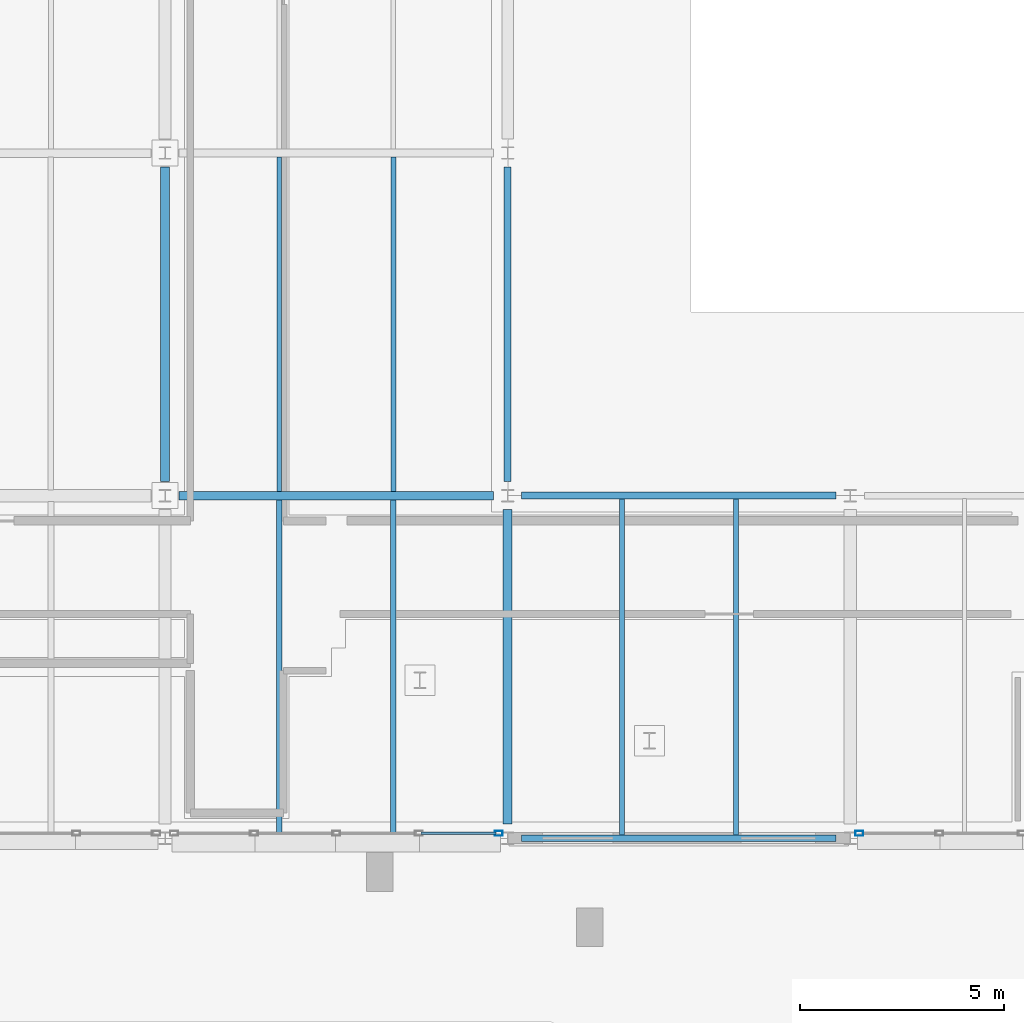
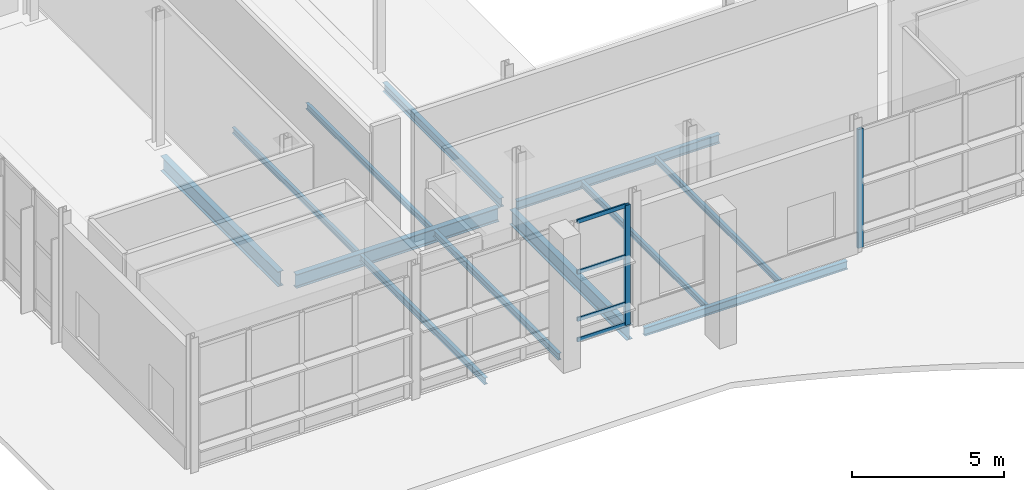
# One storey, part 19 of 124: 12 beams, 6 members, 2 elements without a shape of their own.
"""IFC4 building model written with IfcOpenShell, lengths in metres."""

from ifc_helpers import new_model, si_unit, direction, frame, origin, origin_2d, place, context, subcontext, project, spatial, hollow_rectangle, i_section, extrude, material, material_profile, profile_set, type_object, element, aggregate, save


model = new_model("IFC4")

# Units and contexts
model_context = context("Model", 3, precision=1e-05, world=origin(), true_north=direction((0.0, 1.0)))
body_context = subcontext(model_context, "Body", "Model", "MODEL_VIEW")
ifc_project = project(units=[si_unit("LENGTHUNIT", "METRE"), si_unit("AREAUNIT", "SQUARE_METRE"), si_unit("VOLUMEUNIT", "CUBIC_METRE"), si_unit("PLANEANGLEUNIT", "RADIAN"), si_unit("MASSUNIT", "GRAM", prefix="KILO")], contexts=[model_context])

# Site, building, storey
site_placement = place(None, origin())
site = spatial("IfcSite", under=ifc_project, at=site_placement, CompositionType="ELEMENT")
building_placement = place(site_placement, origin())
building = spatial("IfcBuilding", under=site, at=building_placement, Name="Mersafa Astral City Hall", CompositionType="ELEMENT")
storey_placement = place(building_placement, origin())
storey = spatial("IfcBuildingStorey", under=building, at=storey_placement, Name="L00", CompositionType="ELEMENT", Elevation=0.0)

# Curtain wall, member
ifc_material_1 = material(Name="Anodised bronze aluminium framing", Category="aluminium")
curtain_wall_type_1 = type_object("IfcCurtainWallType", Name="ENV-CW-5", PredefinedType="USERDEFINED", material=ifc_material_1)
curtain_wall_1_placement = place(storey_placement, origin())
curtain_wall_1 = element("IfcCurtainWall", 1, at=curtain_wall_1_placement, inside=storey, type_object=curtain_wall_type_1, Name="L00 Unitised solar curtain wall 40", ObjectType="UNITISED CURTAIN WALL", PredefinedType="USERDEFINED")
ifc_material_profile_1 = material_profile(ifc_material_1, hollow_rectangle(XDim=0.1201171875, YDim=0.199951171875, WallThickness=0.008056640625, at=origin_2d()), Name="RHS 120x200x8")
ifc_profile_set_1 = profile_set([ifc_material_profile_1], Name="Anodised bronze aluminium framing")
member_type_1 = type_object("IfcMemberType", Name="ENV-CW-MUL-2", PredefinedType="MULLION", material=ifc_profile_set_1)
member_1_placement = place(storey_placement, frame((24.97802734375, 50.52001953125, -0.001953125), z_axis=(0.0, 0.0, 1.0), x_axis=(0.0, 1.0, 0.0)))
member_1 = element("IfcMember", 2, at=member_1_placement, type_object=member_type_1, Name="CW-5 mullion 5", PredefinedType="MULLION", context=body_context, shape_type="SweptSolid", body=[
    extrude(hollow_rectangle(XDim=0.1201171875, YDim=0.199951171875, WallThickness=0.008056640625, at=origin_2d()), origin(), (0.0, 0.0, 1.0), 4.81396484375),
])

curtain_wall_type_2 = type_object("IfcCurtainWallType", Name="ENV-CW-6", PredefinedType="USERDEFINED", material=ifc_material_1)
curtain_wall_2_placement = place(storey_placement, origin())
curtain_wall_2 = element("IfcCurtainWall", 3, at=curtain_wall_2_placement, inside=storey, type_object=curtain_wall_type_2, Name="L00 Unitised solar curtain wall 41", ObjectType="UNITISED CURTAIN WALL", PredefinedType="USERDEFINED")
member_2_placement = place(storey_placement, frame((33.822021484375, 50.52001953125, -0.001953125), z_axis=(0.0, 0.0, 1.0), x_axis=(0.0, 1.0, 0.0)))
member_2 = element("IfcMember", 4, at=member_2_placement, type_object=member_type_1, Name="CW-6 mullion 1", PredefinedType="MULLION", context=body_context, shape_type="SweptSolid", body=[
    extrude(hollow_rectangle(XDim=0.1201171875, YDim=0.199951171875, WallThickness=0.008056640625, at=origin_2d()), origin(), (0.0, 0.0, 1.0), 4.76904296875),
])
aggregate(curtain_wall_2, [member_2])

# Member
ifc_material_profile_2 = material_profile(ifc_material_1, hollow_rectangle(XDim=0.06005859375, YDim=0.159912109375, WallThickness=0.00390625, at=origin_2d()), Name="RHS 60x160x4")
ifc_profile_set_2 = profile_set([ifc_material_profile_2], Name="Anodised bronze aluminium framing")
member_type_2 = type_object("IfcMemberType", Name="ENV-CW-TRN-2", PredefinedType="USERDEFINED", material=ifc_profile_set_2)
member_3_placement = place(storey_placement, frame((23.0791015625, 50.52001953125, 0.028076171875), z_axis=(1.0, 0.0, 0.0), x_axis=(0.0, 1.0, 0.0)))
member_3 = element("IfcMember", 5, at=member_3_placement, type_object=member_type_2, Name="CW-5 transom 4.1", ObjectType="TRANSOM", PredefinedType="USERDEFINED", context=body_context, shape_type="SweptSolid", body=[
    extrude(hollow_rectangle(XDim=0.06005859375, YDim=0.159912109375, WallThickness=0.00390625, at=origin_2d()), origin(), (0.0, 0.0, 1.0), 1.8388671875),
])

member_4_placement = place(storey_placement, frame((23.0791015625, 50.52001953125, 0.85009765625), z_axis=(1.0, 0.0, 0.0), x_axis=(0.0, 1.0, 0.0)))
member_4 = element("IfcMember", 6, at=member_4_placement, type_object=member_type_2, Name="CW-5 transom 4.2", ObjectType="TRANSOM", PredefinedType="USERDEFINED", context=body_context, shape_type="SweptSolid", body=[
    extrude(hollow_rectangle(XDim=0.06005859375, YDim=0.159912109375, WallThickness=0.00390625, at=origin_2d()), origin(), (0.0, 0.0, 1.0), 1.8388671875),
])

member_5_placement = place(storey_placement, frame((23.0791015625, 50.52001953125, 2.75), z_axis=(1.0, 0.0, 0.0), x_axis=(0.0, 1.0, 0.0)))
member_5 = element("IfcMember", 7, at=member_5_placement, type_object=member_type_2, Name="CW-5 transom 4.3", ObjectType="TRANSOM", PredefinedType="USERDEFINED", context=body_context, shape_type="SweptSolid", body=[
    extrude(hollow_rectangle(XDim=0.06005859375, YDim=0.159912109375, WallThickness=0.00390625, at=origin_2d()), origin(), (0.0, 0.0, 1.0), 1.8388671875),
])

member_6_placement = place(storey_placement, frame((23.0791015625, 50.52001953125, 4.781982421875), z_axis=(1.0, 0.0, 0.0), x_axis=(0.0, 1.0, 0.0)))
member_6 = element("IfcMember", 8, at=member_6_placement, type_object=member_type_2, Name="CW-5 transom 4.4", ObjectType="TRANSOM", PredefinedType="USERDEFINED", context=body_context, shape_type="SweptSolid", body=[
    extrude(hollow_rectangle(XDim=0.06005859375, YDim=0.159912109375, WallThickness=0.00390625, at=origin_2d()), origin(), (0.0, 0.0, 1.0), 1.8388671875),
])

aggregate(curtain_wall_1, [member_1, member_3, member_4, member_5, member_6])

# Beams
ifc_material_2 = material(Name="Steel S355", Category="steel")
ifc_material_profile_3 = material_profile(ifc_material_2, i_section(OverallWidth=0.2099609375, OverallDepth=0.550048828125, WebThickness=0.010986328125, FlangeThickness=0.01708984375, FilletRadius=0.02392578125, at=origin_2d()), Name="IPE 550")
ifc_profile_set_3 = profile_set([ifc_material_profile_3], Name="Steel S355")
beam_type_1 = type_object("IfcBeamType", Name="STR-BM-IPE550", PredefinedType="BEAM", material=ifc_profile_set_3)
beam_1_placement = place(storey_placement, frame((17.14501953125, 58.800048828125, -0.52490234375), z_axis=(1.0, 0.0, 0.0), x_axis=(0.0, 1.0, 0.0)))
element("IfcBeam", 9, at=beam_1_placement, inside=storey, type_object=beam_type_1, Name="L00 Primary girder X 2-7", PredefinedType="BEAM", context=body_context, shape_type="SweptSolid", body=[
    extrude(i_section(OverallWidth=0.2099609375, OverallDepth=0.550048828125, WebThickness=0.010986328125, FlangeThickness=0.01708984375, FilletRadius=0.02392578125, at=origin_2d()), origin(), (0.0, 0.0, 1.0), 7.7099609375),
])
ifc_material_profile_4 = material_profile(ifc_material_2, i_section(OverallWidth=0.219970703125, OverallDepth=0.60009765625, WebThickness=0.011962890625, FlangeThickness=0.01904296875, FilletRadius=0.02392578125, at=origin_2d()), Name="IPE 600")
ifc_profile_set_4 = profile_set([ifc_material_profile_4], Name="Steel S355")
beam_type_2 = type_object("IfcBeamType", Name="STR-BM-IPE600", PredefinedType="BEAM", material=ifc_profile_set_4)
for number, where, z_axis, x_axis, name in (
    (10, (16.800048828125, 59.14501953125, -0.550048828125), (0.0, 1.0, 0.0), (-1.0, 0.0, 0.0), "L00 Primary girder Y 2-7"),
    (11, (25.199951171875, 50.7451171875, -0.550048828125), (0.0, 1.0, 0.0), (-1.0, 0.0, 0.0), "L00 Primary girder Y 3-6"),
):
    element("IfcBeam", number, at=place(storey_placement, frame(where, z_axis=z_axis, x_axis=x_axis)), inside=storey, type_object=beam_type_2, Name=name, PredefinedType="BEAM", context=body_context, shape_type="SweptSolid", body=[
        extrude(i_section(OverallWidth=0.219970703125, OverallDepth=0.60009765625, WebThickness=0.011962890625, FlangeThickness=0.01904296875, FilletRadius=0.02392578125, at=origin_2d()), origin(), (0.0, 0.0, 1.0), 7.7099609375),
    ])
ifc_material_profile_5 = material_profile(ifc_material_2, i_section(OverallWidth=0.1201171875, OverallDepth=0.239990234375, WebThickness=0.006103515625, FlangeThickness=0.009765625, FilletRadius=0.014892578125, at=origin_2d()), Name="IPE 240")
ifc_profile_set_5 = profile_set([ifc_material_profile_5], Name="Steel S355")
beam_type_3 = type_object("IfcBeamType", Name="STR-BM-JOIST-IPE240", PredefinedType="JOIST", material=ifc_profile_set_5)
for number, where, z_axis, x_axis, name in (
    (12, (19.60009765625, 58.89990234375, -0.3701171875), (0.0, 1.0, 0.0), (-1.0, 0.0, 0.0), "L00 Composite secondary floor joist 14"),
    (13, (22.39990234375, 58.89990234375, -0.3701171875), (0.0, 1.0, 0.0), (-1.0, 0.0, 0.0), "L00 Composite secondary floor joist 15"),
):
    element("IfcBeam", number, at=place(storey_placement, frame(where, z_axis=z_axis, x_axis=x_axis)), inside=storey, type_object=beam_type_3, Name=name, PredefinedType="JOIST", context=body_context, shape_type="SweptSolid", body=[
        extrude(i_section(OverallWidth=0.1201171875, OverallDepth=0.239990234375, WebThickness=0.006103515625, FlangeThickness=0.009765625, FilletRadius=0.014892578125, at=origin_2d()), origin(), (0.0, 0.0, 1.0), 8.205078125),
    ])
for number, where, z_axis, x_axis, name in (
    (14, (28.0, 50.47509765625, -0.3701171875), (0.0, 1.0, 0.0), (-1.0, 0.0, 0.0), "L00 Composite secondary floor joist 22"),
    (15, (30.800048828125, 50.47509765625, -0.3701171875), (0.0, 1.0, 0.0), (-1.0, 0.0, 0.0), "L00 Composite secondary floor joist 23"),
):
    element("IfcBeam", number, at=place(storey_placement, frame(where, z_axis=z_axis, x_axis=x_axis)), inside=storey, type_object=beam_type_3, Name=name, PredefinedType="JOIST", context=body_context, shape_type="SweptSolid", body=[
        extrude(i_section(OverallWidth=0.1201171875, OverallDepth=0.239990234375, WebThickness=0.006103515625, FlangeThickness=0.009765625, FilletRadius=0.014892578125, at=origin_2d()), origin(), (0.0, 0.0, 1.0), 8.244873046875),
    ])
ifc_material_profile_6 = material_profile(ifc_material_2, i_section(OverallWidth=0.135009765625, OverallDepth=0.27001953125, WebThickness=0.006591796875, FlangeThickness=0.01025390625, FilletRadius=0.014892578125, at=origin_2d()), Name="IPE 270")
ifc_profile_set_6 = profile_set([ifc_material_profile_6], Name="Steel S355")
beam_type_4 = type_object("IfcBeamType", Name="STR-BM-JOIST-IPE270", PredefinedType="JOIST", material=ifc_profile_set_6)
for number, where, z_axis, x_axis, name in (
    (16, (19.60009765625, 50.47998046875, -0.385009765625), (0.0, 1.0, 0.0), (-1.0, 0.0, 0.0), "L00 Composite secondary floor joist 12"),
    (17, (22.39990234375, 50.47998046875, -0.385009765625), (0.0, 1.0, 0.0), (-1.0, 0.0, 0.0), "L00 Composite secondary floor joist 13"),
):
    element("IfcBeam", number, at=place(storey_placement, frame(where, z_axis=z_axis, x_axis=x_axis)), inside=storey, type_object=beam_type_4, Name=name, PredefinedType="JOIST", context=body_context, shape_type="SweptSolid", body=[
        extrude(i_section(OverallWidth=0.135009765625, OverallDepth=0.27001953125, WebThickness=0.006591796875, FlangeThickness=0.01025390625, FilletRadius=0.014892578125, at=origin_2d()), origin(), (0.0, 0.0, 1.0), 8.219970703125),
    ])
ifc_material_profile_7 = material_profile(ifc_material_2, i_section(OverallWidth=0.159912109375, OverallDepth=0.330078125, WebThickness=0.007568359375, FlangeThickness=0.011474609375, FilletRadius=0.01806640625, at=origin_2d()), Name="IPE 330")
ifc_profile_set_7 = profile_set([ifc_material_profile_7], Name="Steel S355")
beam_type_5 = type_object("IfcBeamType", Name="STR-BM-SPANDREL-IPE330", PredefinedType="SPANDREL", material=ifc_profile_set_7)
beam_2_placement = place(storey_placement, frame((25.544921875, 50.39990234375, -0.4150390625), z_axis=(1.0, 0.0, 0.0), x_axis=(0.0, 1.0, 0.0)))
element("IfcBeam", 18, at=beam_2_placement, inside=storey, type_object=beam_type_5, Name="L00 Primary girder X 3-6", PredefinedType="SPANDREL", context=body_context, shape_type="SweptSolid", body=[
    extrude(i_section(OverallWidth=0.159912109375, OverallDepth=0.330078125, WebThickness=0.007568359375, FlangeThickness=0.011474609375, FilletRadius=0.01806640625, at=origin_2d()), origin(), (0.0, 0.0, 1.0), 7.7099609375),
])
ifc_material_profile_8 = material_profile(ifc_material_2, i_section(OverallWidth=0.169921875, OverallDepth=0.360107421875, WebThickness=0.008056640625, FlangeThickness=0.0126953125, FilletRadius=0.01806640625, at=origin_2d()), Name="IPE 360")
ifc_profile_set_8 = profile_set([ifc_material_profile_8], Name="Steel S355")
beam_type_6 = type_object("IfcBeamType", Name="STR-BM-SPANDREL-IPE360", PredefinedType="SPANDREL", material=ifc_profile_set_8)
for number, where, z_axis, x_axis, name in (
    (19, (25.544921875, 58.800048828125, -0.429931640625), (1.0, 0.0, 0.0), (0.0, 1.0, 0.0), "L00 Primary girder X 3-7"),
    (20, (25.199951171875, 59.14501953125, -0.429931640625), (0.0, 1.0, 0.0), (-1.0, 0.0, 0.0), "L00 Primary girder Y 3-7"),
):
    element("IfcBeam", number, at=place(storey_placement, frame(where, z_axis=z_axis, x_axis=x_axis)), inside=storey, type_object=beam_type_6, Name=name, PredefinedType="SPANDREL", context=body_context, shape_type="SweptSolid", body=[
        extrude(i_section(OverallWidth=0.169921875, OverallDepth=0.360107421875, WebThickness=0.008056640625, FlangeThickness=0.0126953125, FilletRadius=0.01806640625, at=origin_2d()), origin(), (0.0, 0.0, 1.0), 7.7099609375),
    ])

save(model, "model.ifc")
